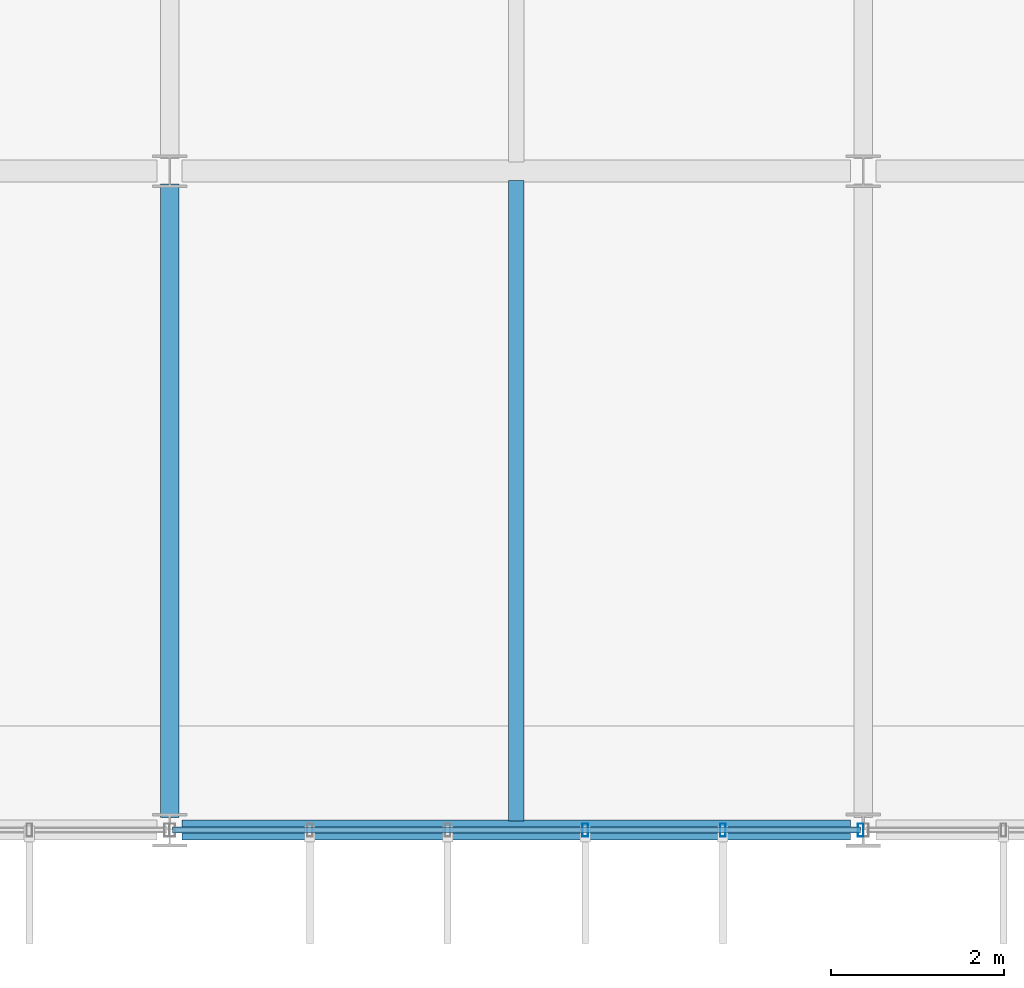
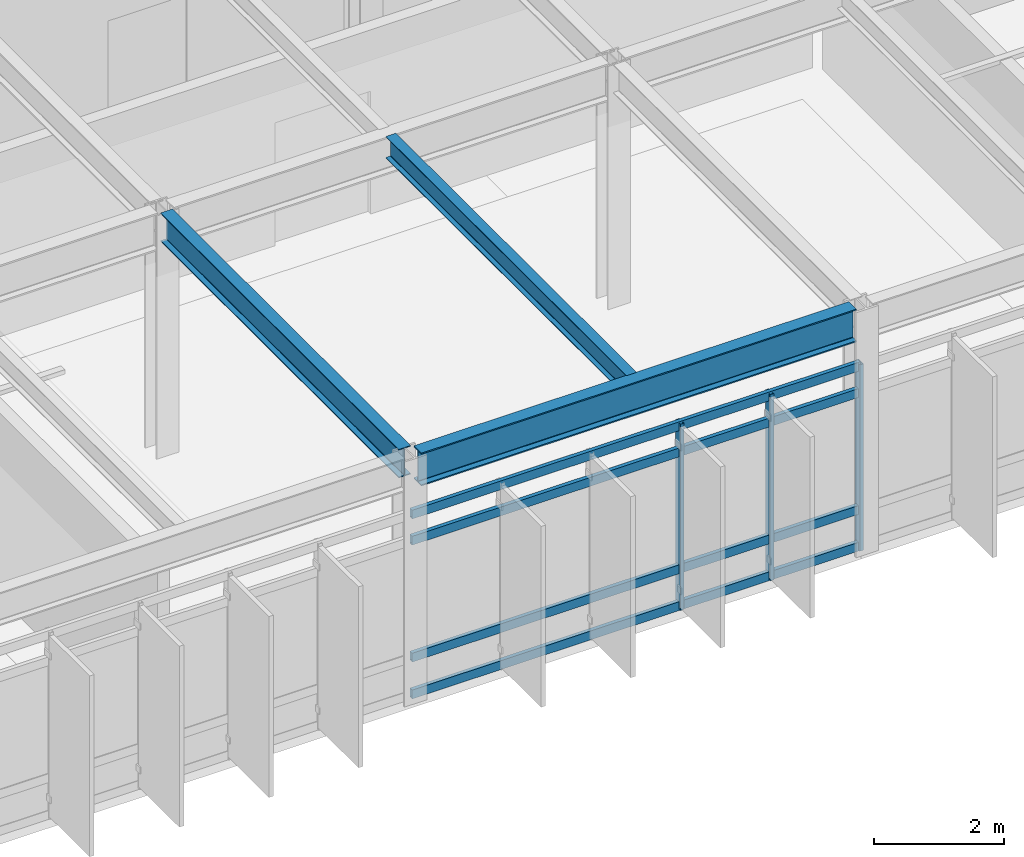
# One storey, part 25 of 104: 7 members, 3 beams, 1 element without a shape of its own.
"""IFC4 building model written with IfcOpenShell, lengths in metres."""

from ifc_helpers import new_model, si_unit, direction, frame, origin, origin_2d, place, context, subcontext, project, spatial, hollow_rectangle, i_section, extrude, material, material_profile, profile_set, type_object, element, aggregate, save


model = new_model("IFC4")

# Units and contexts
model_context = context("Model", 3, precision=1e-05, world=origin(), true_north=direction((0.0, 1.0)))
body_context = subcontext(model_context, "Body", "Model", "MODEL_VIEW")
ifc_project = project(units=[si_unit("LENGTHUNIT", "METRE"), si_unit("AREAUNIT", "SQUARE_METRE"), si_unit("VOLUMEUNIT", "CUBIC_METRE"), si_unit("PLANEANGLEUNIT", "RADIAN"), si_unit("MASSUNIT", "GRAM", prefix="KILO")], contexts=[model_context])

# Site, building, storey
site_placement = place(None, origin())
site = spatial("IfcSite", under=ifc_project, at=site_placement, CompositionType="ELEMENT")
building_placement = place(site_placement, origin())
building = spatial("IfcBuilding", under=site, at=building_placement, Name="Zulena Civic Courthouse", CompositionType="ELEMENT")
storey_placement = place(building_placement, frame((0.0, 0.0, 10.800048828125)))
storey = spatial("IfcBuildingStorey", under=building, at=storey_placement, Name="L02", CompositionType="ELEMENT", Elevation=10.800048828125)

# Curtain wall, members
ifc_material_1 = material(Name="Double-silver low-E laminated solar-control glass", Category="glass")
curtain_wall_type = type_object("IfcCurtainWallType", Name="CW_7940x3490", PredefinedType="USERDEFINED", material=ifc_material_1)
curtain_wall_placement = place(storey_placement, origin())
curtain_wall = element("IfcCurtainWall", 1, at=curtain_wall_placement, inside=storey, type_object=curtain_wall_type, Name="cw:V2:L02:5:2", ObjectType="UNITISED CURTAIN WALL", PredefinedType="USERDEFINED")
ifc_material_2 = material(Name="Bronze anodised thermally broken aluminium AA6063-T6", Category="aluminium")
ifc_material_profile_1 = material_profile(ifc_material_2, hollow_rectangle(XDim=0.06494140625, YDim=0.14990234375, WallThickness=0.00390625, at=origin_2d()), Name="CWM150X65X4")
ifc_profile_set_1 = profile_set([ifc_material_profile_1], Name="Bronze anodised thermally broken aluminium AA6063-T6")
member_type_1 = type_object("IfcMemberType", Name="CWMullion_150x65", PredefinedType="MULLION", material=ifc_profile_set_1)
member_1_placement = place(storey_placement, frame((35.969970703125, 0.0, 0.0), z_axis=(0.0, 0.0, 1.0), x_axis=(1.0, 0.0, 0.0)))
member_1 = element("IfcMember", 2, at=member_1_placement, type_object=member_type_1, Name="cw:V2:L02:5:2:mull:0", PredefinedType="MULLION", context=body_context, shape_type="SweptSolid", body=[
    extrude(hollow_rectangle(XDim=0.06494140625, YDim=0.14990234375, WallThickness=0.00390625, at=origin_2d()), origin(), (0.0, 0.0, 1.0), 3.489990234375),
])
member_2_placement = place(storey_placement, frame((34.382080078125, 0.0, 0.0), z_axis=(0.0, 0.0, 1.0), x_axis=(1.0, 0.0, 0.0)))
member_2 = element("IfcMember", 3, at=member_2_placement, type_object=member_type_1, Name="cw:V2:L02:5:2:mull:1", PredefinedType="MULLION", context=body_context, shape_type="SweptSolid", body=[
    extrude(hollow_rectangle(XDim=0.06494140625, YDim=0.14990234375, WallThickness=0.00390625, at=origin_2d()), origin(), (0.0, 0.0, 1.0), 3.489990234375),
])
member_3_placement = place(storey_placement, frame((32.7939453125, 0.0, 0.0), z_axis=(0.0, 0.0, 1.0), x_axis=(1.0, 0.0, 0.0)))
member_3 = element("IfcMember", 4, at=member_3_placement, type_object=member_type_1, Name="cw:V2:L02:5:2:mull:2", PredefinedType="MULLION", context=body_context, shape_type="SweptSolid", body=[
    extrude(hollow_rectangle(XDim=0.06494140625, YDim=0.14990234375, WallThickness=0.00390625, at=origin_2d()), origin(), (0.0, 0.0, 1.0), 3.489990234375),
])
ifc_material_profile_2 = material_profile(ifc_material_2, hollow_rectangle(XDim=0.070068359375, YDim=0.1650390625, WallThickness=0.00390625, at=origin_2d()), Name="CWT165X70X4")
ifc_profile_set_2 = profile_set([ifc_material_profile_2], Name="Bronze anodised thermally broken aluminium AA6063-T6")
member_type_2 = type_object("IfcMemberType", Name="CWTransom_165x70", PredefinedType="USERDEFINED", material=ifc_profile_set_2)
member_4_placement = place(storey_placement, frame((35.969970703125, 0.0, 0.06005859375), z_axis=(-1.0, 0.0, 0.0), x_axis=(0.0, -1.0, 0.0)))
member_4 = element("IfcMember", 5, at=member_4_placement, type_object=member_type_2, Name="cw:V2:L02:5:2:tran:0", ObjectType="TRANSOM", PredefinedType="USERDEFINED", context=body_context, shape_type="SweptSolid", body=[
    extrude(hollow_rectangle(XDim=0.070068359375, YDim=0.1650390625, WallThickness=0.00390625, at=origin_2d()), origin(), (0.0, 0.0, 1.0), 7.93994140625),
])
member_5_placement = place(storey_placement, frame((35.969970703125, 0.0, 0.75), z_axis=(-1.0, 0.0, 0.0), x_axis=(0.0, -1.0, 0.0)))
member_5 = element("IfcMember", 6, at=member_5_placement, type_object=member_type_2, Name="cw:V2:L02:5:2:tran:1", ObjectType="TRANSOM", PredefinedType="USERDEFINED", context=body_context, shape_type="SweptSolid", body=[
    extrude(hollow_rectangle(XDim=0.070068359375, YDim=0.1650390625, WallThickness=0.00390625, at=origin_2d()), origin(), (0.0, 0.0, 1.0), 7.93994140625),
])
member_6_placement = place(storey_placement, frame((35.969970703125, 0.0, 2.93994140625), z_axis=(-1.0, 0.0, 0.0), x_axis=(0.0, -1.0, 0.0)))
member_6 = element("IfcMember", 7, at=member_6_placement, type_object=member_type_2, Name="cw:V2:L02:5:2:tran:2", ObjectType="TRANSOM", PredefinedType="USERDEFINED", context=body_context, shape_type="SweptSolid", body=[
    extrude(hollow_rectangle(XDim=0.070068359375, YDim=0.1650390625, WallThickness=0.00390625, at=origin_2d()), origin(), (0.0, 0.0, 1.0), 7.93994140625),
])
member_7_placement = place(storey_placement, frame((35.969970703125, 0.0, 3.429931640625), z_axis=(-1.0, 0.0, 0.0), x_axis=(0.0, -1.0, 0.0)))
member_7 = element("IfcMember", 8, at=member_7_placement, type_object=member_type_2, Name="cw:V2:L02:5:2:tran:3", ObjectType="TRANSOM", PredefinedType="USERDEFINED", context=body_context, shape_type="SweptSolid", body=[
    extrude(hollow_rectangle(XDim=0.070068359375, YDim=0.1650390625, WallThickness=0.00390625, at=origin_2d()), origin(), (0.0, 0.0, 1.0), 7.93994140625),
])
aggregate(curtain_wall, [member_1, member_2, member_3, member_4, member_5, member_6, member_7])

# Beams
ifc_material_3 = material(Name="Steel ASTM A992 Grade 50", Category="steel")
ifc_material_profile_3 = material_profile(ifc_material_3, i_section(OverallWidth=0.177978515625, OverallDepth=0.406005859375, WebThickness=0.0078125, FlangeThickness=0.0126953125, FilletRadius=0.01025390625, at=origin_2d()), Name="W16X40")
ifc_profile_set_3 = profile_set([ifc_material_profile_3], Name="Steel ASTM A992 Grade 50")
beam_type_1 = type_object("IfcBeamType", Name="Joist_W16X40", PredefinedType="JOIST", material=ifc_profile_set_3)
beam_1_placement = place(storey_placement, frame((32.0, 0.10498046875, 4.386962890625), z_axis=(0.0, 1.0, 0.0), x_axis=(-1.0, 0.0, 0.0)))
element("IfcBeam", 9, at=beam_1_placement, inside=storey, type_object=beam_type_1, Name="joist:V2:L02:32.00:0.0_7.6", PredefinedType="JOIST", context=body_context, shape_type="SweptSolid", body=[
    extrude(i_section(OverallWidth=0.177978515625, OverallDepth=0.406005859375, WebThickness=0.0078125, FlangeThickness=0.0126953125, FilletRadius=0.01025390625, at=origin_2d()), origin(), (0.0, 0.0, 1.0), 7.39013671875),
])
ifc_material_profile_4 = material_profile(ifc_material_3, i_section(OverallWidth=0.2099609375, OverallDepth=0.537109375, WebThickness=0.010986328125, FlangeThickness=0.017333984375, FilletRadius=0.0126953125, at=origin_2d()), Name="W21X68")
ifc_profile_set_4 = profile_set([ifc_material_profile_4], Name="Steel ASTM A992 Grade 50")
beam_type_2 = type_object("IfcBeamType", Name="Spandrel_W21X68", PredefinedType="SPANDREL", material=ifc_profile_set_4)
beam_2_placement = place(storey_placement, frame((28.0, 0.14501953125, 4.321533203125), z_axis=(0.0, 1.0, 0.0), x_axis=(-1.0, 0.0, 0.0)))
element("IfcBeam", 10, at=beam_2_placement, inside=storey, type_object=beam_type_2, Name="beam:Y:V2:L02:28.0:0.0_7.6", PredefinedType="SPANDREL", context=body_context, shape_type="SweptSolid", body=[
    extrude(i_section(OverallWidth=0.2099609375, OverallDepth=0.537109375, WebThickness=0.010986328125, FlangeThickness=0.017333984375, FilletRadius=0.0126953125, at=origin_2d()), origin(), (0.0, 0.0, 1.0), 7.31005859375),
])
ifc_material_profile_5 = material_profile(ifc_material_3, i_section(OverallWidth=0.22998046875, OverallDepth=0.616943359375, WebThickness=0.01318359375, FlangeThickness=0.022216796875, FilletRadius=0.0126953125, at=origin_2d()), Name="W24X94")
ifc_profile_set_5 = profile_set([ifc_material_profile_5], Name="Steel ASTM A992 Grade 50")
beam_type_3 = type_object("IfcBeamType", Name="Spandrel_W24X94", PredefinedType="SPANDREL", material=ifc_profile_set_5)
beam_3_placement = place(storey_placement, frame((28.14501953125, 0.0, 4.281494140625), z_axis=(1.0, 0.0, 0.0), x_axis=(0.0, 1.0, 0.0)))
element("IfcBeam", 11, at=beam_3_placement, inside=storey, type_object=beam_type_3, Name="beam:X:V2:L02:0.0:28.0_36.0", PredefinedType="SPANDREL", context=body_context, shape_type="SweptSolid", body=[
    extrude(i_section(OverallWidth=0.22998046875, OverallDepth=0.616943359375, WebThickness=0.01318359375, FlangeThickness=0.022216796875, FilletRadius=0.0126953125, at=origin_2d()), origin(), (0.0, 0.0, 1.0), 7.7099609375),
])

save(model, "model.ifc")
